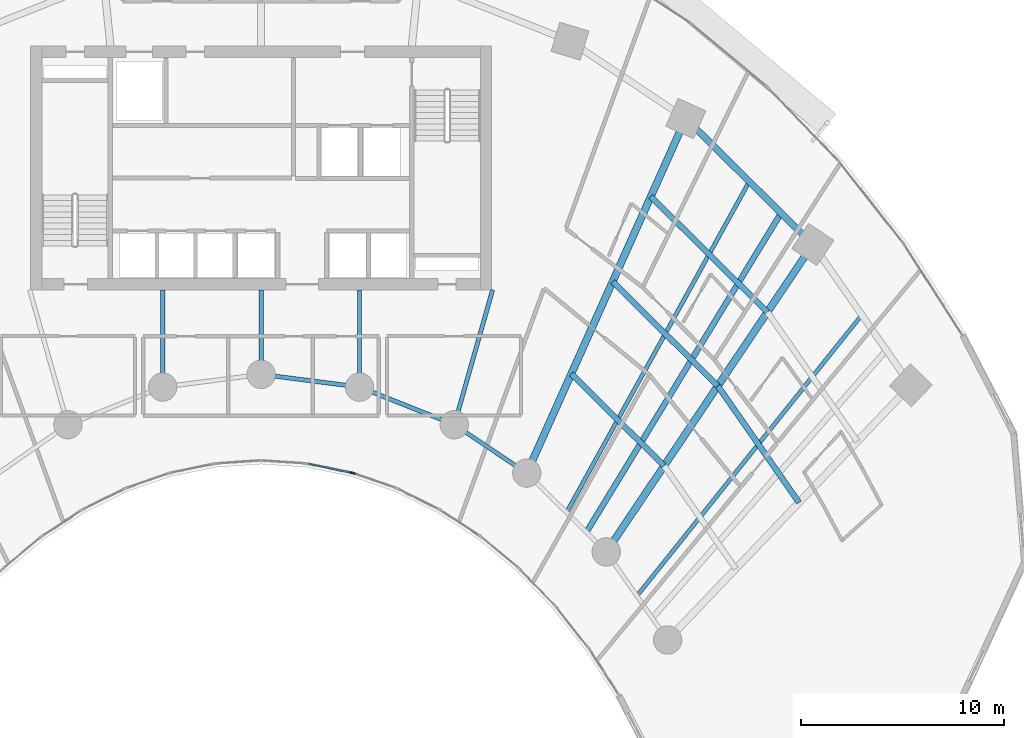
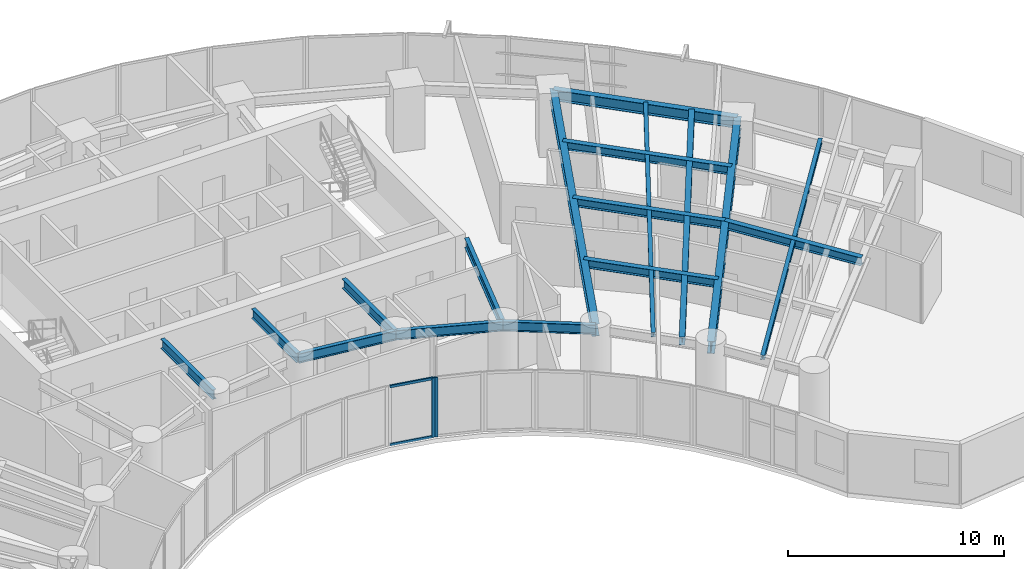
# One storey, part 5 of 17: 17 beams, 4 members, 2 elements without a shape of their own.
"""IFC4 building model written with IfcOpenShell, lengths in metres."""

from ifc_helpers import new_model, si_unit, direction, frame, origin, origin_2d, place, context, subcontext, project, spatial, rectangle, i_section, extrude, source, transform, mapped, material, layer, layer_set, material_profile, profile_set, type_object, type_shapes, element, aggregate, save


model = new_model("IFC4")

# Units and contexts
model_context = context("Model", 3, precision=1e-05, world=origin(), true_north=direction((0.0, 1.0)))
body_context = subcontext(model_context, "Body", "Model", "MODEL_VIEW")
ifc_project = project(units=[si_unit("LENGTHUNIT", "METRE"), si_unit("AREAUNIT", "SQUARE_METRE"), si_unit("VOLUMEUNIT", "CUBIC_METRE"), si_unit("PLANEANGLEUNIT", "RADIAN"), si_unit("MASSUNIT", "GRAM", prefix="KILO")], contexts=[model_context])

# Site, building, storey
site_placement = place(None, origin())
site = spatial("IfcSite", under=ifc_project, at=site_placement, CompositionType="ELEMENT")
building_placement = place(site_placement, origin())
building = spatial("IfcBuilding", under=site, at=building_placement, Name="Breltana Convention Tower", CompositionType="ELEMENT")
storey_placement = place(building_placement, frame((0.0, 0.0, 64.199951171875)))
storey = spatial("IfcBuildingStorey", under=building, at=storey_placement, Name="L14", CompositionType="ELEMENT", Elevation=64.199951171875)

# Beams
ifc_material_1 = material(Name="Steel ASTM A992 Grade 50", Category="steel")
ifc_material_profile_1 = material_profile(ifc_material_1, i_section(OverallWidth=0.323974609375, OverallDepth=0.611083984375, WebThickness=0.0126953125, FlangeThickness=0.01904296875, at=origin_2d()), Name="W24X104")
ifc_profile_set_1 = profile_set([ifc_material_profile_1], Name="Steel ASTM A992 Grade 50")
beam_type_1 = type_object("IfcBeamType", Name="BM-SP-W24X104", PredefinedType="SPANDREL", material=ifc_profile_set_1)
shared_shape_1 = source(origin(), body_context, "Body", "SweptSolid", [
    extrude(i_section(OverallWidth=0.323974609375, OverallDepth=0.611083984375, WebThickness=0.0126953125, FlangeThickness=0.01904296875, at=origin_2d()), origin(), (0.0, 0.0, 1.0), 8.810302734375),
])
beam_1_placement = place(storey_placement, frame((68.910400390625, 68.63330078125, 3.054443359375), z_axis=(0.710120823582, -0.704079836322, 0.0), x_axis=(0.704079836322, 0.710120823582, 0.0)))
element("IfcBeam", 1, at=beam_1_placement, inside=storey, type_object=beam_type_1, Name="L14 Outer Spandrel Beam 09", PredefinedType="SPANDREL", context=body_context, shape_type="MappedRepresentation", body=[
    mapped(shared_shape_1, transform((0.0, 0.0, 0.0), scale=1.0)),
])
ifc_material_profile_2 = material_profile(ifc_material_1, i_section(OverallWidth=0.2099609375, OverallDepth=0.537109375, WebThickness=0.010986328125, FlangeThickness=0.017333984375, at=origin_2d()), Name="W21X68")
ifc_profile_set_2 = profile_set([ifc_material_profile_2], Name="Steel ASTM A992 Grade 50")
beam_type_2 = type_object("IfcBeamType", Name="BM-BM-W21X68", PredefinedType="BEAM", material=ifc_profile_set_2)
shared_shape_2 = source(origin(), body_context, "Body", "SweptSolid", [
    extrude(i_section(OverallWidth=0.2099609375, OverallDepth=0.537109375, WebThickness=0.010986328125, FlangeThickness=0.017333984375, at=origin_2d()), origin(), (0.0, 0.0, 1.0), 6.904541015625),
])
type_shapes(beam_type_2, [shared_shape_2])
beam_2_placement = place(storey_placement, frame((59.39990234375, 60.199951171875, 3.091552734375), z_axis=(-0.273006781054, -0.962012108811, 0.0), x_axis=(0.962012108811, -0.273006781054, 0.0)))
element("IfcBeam", 2, at=beam_2_placement, inside=storey, type_object=beam_type_2, Name="L14 South Core Tie Girder R08", PredefinedType="BEAM", context=body_context, shape_type="MappedRepresentation", body=[
    mapped(shared_shape_2, transform((0.0, 0.0, 0.0), scale=1.0)),
])
shared_shape_3 = source(origin(), body_context, "Body", "SweptSolid", [
    extrude(i_section(OverallWidth=0.2099609375, OverallDepth=0.537109375, WebThickness=0.010986328125, FlangeThickness=0.017333984375, at=origin_2d()), origin(), (0.0, 0.0, 1.0), 4.789306640625),
])
for number, where, z_axis, x_axis, name in (
    (3, (43.153564453125, 60.199951171875, 3.091552734375), (0.0, -1.0, 0.0), (1.0, 0.0, 0.0), "L14 South Core Tie Girder R05"),
    (4, (52.846435546875, 60.199951171875, 3.091552734375), (0.0, -1.0, 0.0), (1.0, 0.0, 0.0), "L14 South Core Tie Girder R07"),
):
    element("IfcBeam", number, at=place(storey_placement, frame(where, z_axis=z_axis, x_axis=x_axis)), inside=storey, type_object=beam_type_2, Name=name, PredefinedType="BEAM", context=body_context, shape_type="MappedRepresentation", body=[
        mapped(shared_shape_3, transform((0.0, 0.0, 0.0), scale=1.0)),
    ])
shared_shape_4 = source(origin(), body_context, "Body", "SweptSolid", [
    extrude(i_section(OverallWidth=0.2099609375, OverallDepth=0.537109375, WebThickness=0.010986328125, FlangeThickness=0.017333984375, at=origin_2d()), origin(), (0.0, 0.0, 1.0), 4.1640625),
])
beam_3_placement = place(storey_placement, frame((48.0, 60.199951171875, 3.091552734375), z_axis=(0.0, -1.0, 0.0), x_axis=(1.0, 0.0, 0.0)))
element("IfcBeam", 5, at=beam_3_placement, inside=storey, type_object=beam_type_2, Name="L14 South Core Tie Girder R06", PredefinedType="BEAM", context=body_context, shape_type="MappedRepresentation", body=[
    mapped(shared_shape_4, transform((0.0, 0.0, 0.0), scale=1.0)),
])
ifc_material_profile_3 = material_profile(ifc_material_1, i_section(OverallWidth=0.35498046875, OverallDepth=0.696044921875, WebThickness=0.015380859375, FlangeThickness=0.02490234375, at=origin_2d()), Name="W27X146")
ifc_profile_set_3 = profile_set([ifc_material_profile_3], Name="Steel ASTM A992 Grade 50")
beam_type_3 = type_object("IfcBeamType", Name="BM-RG-W27X146", PredefinedType="USERDEFINED", material=ifc_profile_set_3)
shared_shape_5 = source(origin(), body_context, "Body", "SweptSolid", [
    extrude(i_section(OverallWidth=0.35498046875, OverallDepth=0.696044921875, WebThickness=0.015380859375, FlangeThickness=0.02490234375, at=origin_2d()), origin(), (0.0, 0.0, 1.0), 19.133544921875),
])
beam_4_placement = place(storey_placement, frame((61.08203125, 51.174560546875, 3.011962890625), z_axis=(0.409144564164, 0.912469575172, 0.0), x_axis=(-0.912469575172, 0.409144564164, 0.0)))
element("IfcBeam", 6, at=beam_4_placement, inside=storey, type_object=beam_type_3, Name="L14 Radial Floor Girder R09", ObjectType="GIRDER", PredefinedType="USERDEFINED", context=body_context, shape_type="MappedRepresentation", body=[
    mapped(shared_shape_5, transform((0.0, 0.0, 0.0), scale=1.0)),
])
shared_shape_6 = source(origin(), body_context, "Body", "SweptSolid", [
    extrude(i_section(OverallWidth=0.35498046875, OverallDepth=0.696044921875, WebThickness=0.015380859375, FlangeThickness=0.02490234375, at=origin_2d()), origin(), (0.0, 0.0, 1.0), 18.236328125),
])
beam_5_placement = place(storey_placement, frame((64.995849609375, 47.293701171875, 3.011962890625), z_axis=(0.557730360975, 0.830022195153, 0.0), x_axis=(-0.830022195153, 0.557730360975, 0.0)))
element("IfcBeam", 7, at=beam_5_placement, inside=storey, type_object=beam_type_3, Name="L14 Radial Floor Girder R10", ObjectType="GIRDER", PredefinedType="USERDEFINED", context=body_context, shape_type="MappedRepresentation", body=[
    mapped(shared_shape_6, transform((0.0, 0.0, 0.0), scale=1.0)),
])
shared_shape_7 = source(origin(), body_context, "Body", "SweptSolid", [
    extrude(i_section(OverallWidth=0.2099609375, OverallDepth=0.537109375, WebThickness=0.010986328125, FlangeThickness=0.017333984375, at=origin_2d()), origin(), (0.0, 0.0, 1.0), 5.022705078125),
])
beam_6_placement = place(storey_placement, frame((52.846435546875, 55.41064453125, 3.091552734375), z_axis=(0.929458966248, -0.368925507469, 0.0), x_axis=(0.368925507469, 0.929458966248, 0.0)))
element("IfcBeam", 8, at=beam_6_placement, inside=storey, type_object=beam_type_2, Name="L14 Inner Ring Beam 07", PredefinedType="BEAM", context=body_context, shape_type="MappedRepresentation", body=[
    mapped(shared_shape_7, transform((0.0, 0.0, 0.0), scale=1.0)),
])
shared_shape_8 = source(origin(), body_context, "Body", "SweptSolid", [
    extrude(i_section(OverallWidth=0.2099609375, OverallDepth=0.537109375, WebThickness=0.010986328125, FlangeThickness=0.017333984375, at=origin_2d()), origin(), (0.0, 0.0, 1.0), 4.88671875),
])
beam_7_placement = place(storey_placement, frame((48.0, 56.035888671875, 3.091552734375), z_axis=(0.991780525565, -0.127950729231, 0.0), x_axis=(0.127950729231, 0.991780525565, 0.0)))
element("IfcBeam", 9, at=beam_7_placement, inside=storey, type_object=beam_type_2, Name="L14 Inner Ring Beam 06", PredefinedType="BEAM", context=body_context, shape_type="MappedRepresentation", body=[
    mapped(shared_shape_8, transform((0.0, 0.0, 0.0), scale=1.0)),
])
shared_shape_9 = source(origin(), body_context, "Body", "SweptSolid", [
    extrude(i_section(OverallWidth=0.2099609375, OverallDepth=0.537109375, WebThickness=0.010986328125, FlangeThickness=0.017333984375, at=origin_2d()), origin(), (0.0, 0.0, 1.0), 4.2900390625),
])
beam_8_placement = place(storey_placement, frame((57.514892578125, 53.5576171875, 3.091552734375), z_axis=(0.831515827753, -0.555501060482, 0.0), x_axis=(0.555501060482, 0.831515827753, 0.0)))
element("IfcBeam", 10, at=beam_8_placement, inside=storey, type_object=beam_type_2, Name="L14 Inner Ring Beam 08", PredefinedType="BEAM", context=body_context, shape_type="MappedRepresentation", body=[
    mapped(shared_shape_9, transform((0.0, 0.0, 0.0), scale=1.0)),
])
ifc_material_profile_4 = material_profile(ifc_material_1, i_section(OverallWidth=0.280029296875, OverallDepth=0.462890625, WebThickness=0.0107421875, FlangeThickness=0.017333984375, at=origin_2d()), Name="W18X76")
ifc_profile_set_4 = profile_set([ifc_material_profile_4], Name="Steel ASTM A992 Grade 50")
beam_type_4 = type_object("IfcBeamType", Name="BM-JSG-06", PredefinedType="JOIST", material=ifc_profile_set_4)
shared_shape_10 = source(origin(), body_context, "Body", "SweptSolid", [
    extrude(i_section(OverallWidth=0.280029296875, OverallDepth=0.462890625, WebThickness=0.0107421875, FlangeThickness=0.017333984375, at=origin_2d()), origin(), (0.0, 0.0, 1.0), 6.435302734375),
])
beam_9_placement = place(storey_placement, frame((63.27392578125, 56.06298828125, 3.128662109375), z_axis=(0.710116389828, -0.704084308089, 0.0), x_axis=(0.704084308089, 0.710116389828, 0.0)))
element("IfcBeam", 11, at=beam_9_placement, inside=storey, type_object=beam_type_4, Name="L14 Composite Floor Joist 09.1", PredefinedType="JOIST", context=body_context, shape_type="MappedRepresentation", body=[
    mapped(shared_shape_10, transform((0.0, 0.0, 0.0), scale=1.0)),
])
shared_shape_11 = source(origin(), body_context, "Body", "SweptSolid", [
    extrude(i_section(OverallWidth=0.280029296875, OverallDepth=0.462890625, WebThickness=0.0107421875, FlangeThickness=0.017333984375, at=origin_2d()), origin(), (0.0, 0.0, 1.0), 7.29296875),
])
beam_10_placement = place(storey_placement, frame((65.309326171875, 60.602294921875, 3.128662109375), z_axis=(0.710096551013, -0.704104316305, 0.0), x_axis=(0.704104316305, 0.710096551013, 0.0)))
element("IfcBeam", 12, at=beam_10_placement, inside=storey, type_object=beam_type_4, Name="L14 Composite Floor Joist 09.2", PredefinedType="JOIST", context=body_context, shape_type="MappedRepresentation", body=[
    mapped(shared_shape_11, transform((0.0, 0.0, 0.0), scale=1.0)),
])
shared_shape_12 = source(origin(), body_context, "Body", "SweptSolid", [
    extrude(i_section(OverallWidth=0.280029296875, OverallDepth=0.462890625, WebThickness=0.0107421875, FlangeThickness=0.017333984375, at=origin_2d()), origin(), (0.0, 0.0, 1.0), 8.084716796875),
])
beam_11_placement = place(storey_placement, frame((67.188232421875, 64.79248046875, 3.128662109375), z_axis=(0.710105094548, -0.704095699956, 0.0), x_axis=(0.704095699956, 0.710105094548, 0.0)))
element("IfcBeam", 13, at=beam_11_placement, inside=storey, type_object=beam_type_4, Name="L14 Composite Floor Joist 09.3", PredefinedType="JOIST", context=body_context, shape_type="MappedRepresentation", body=[
    mapped(shared_shape_12, transform((0.0, 0.0, 0.0), scale=1.0)),
])
ifc_material_profile_5 = material_profile(ifc_material_1, i_section(OverallWidth=0.201904296875, OverallDepth=0.2470703125, WebThickness=0.00732421875, FlangeThickness=0.010986328125, at=origin_2d()), Name="W10X33")
ifc_profile_set_5 = profile_set([ifc_material_profile_5], Name="Steel ASTM A992 Grade 50")
beam_type_5 = type_object("IfcBeamType", Name="BM-JSG-11", PredefinedType="JOIST", material=ifc_profile_set_5)
shared_shape_13 = source(origin(), body_context, "Body", "SweptSolid", [
    extrude(i_section(OverallWidth=0.201904296875, OverallDepth=0.2470703125, WebThickness=0.00732421875, FlangeThickness=0.010986328125, at=origin_2d()), origin(), (0.0, 0.0, 1.0), 18.617431640625),
])
beam_12_placement = place(storey_placement, frame((63.038818359375, 49.234130859375, 3.236572265625), z_axis=(0.483405602507, 0.875396495004, 0.0), x_axis=(-0.875396495004, 0.483405602507, 0.0)))
element("IfcBeam", 14, at=beam_12_placement, inside=storey, type_object=beam_type_5, Name="L14 Mid-Bay Radial Trimmer 09", PredefinedType="JOIST", context=body_context, shape_type="MappedRepresentation", body=[
    mapped(shared_shape_13, transform((0.0, 0.0, 0.0), scale=1.0)),
])
shared_shape_14 = source(origin(), body_context, "Body", "SweptSolid", [
    extrude(i_section(OverallWidth=0.280029296875, OverallDepth=0.462890625, WebThickness=0.0107421875, FlangeThickness=0.017333984375, at=origin_2d()), origin(), (0.0, 0.0, 1.0), 18.409423828125),
])
beam_13_placement = place(storey_placement, frame((64.017333984375, 48.263916015625, 3.128662109375), z_axis=(0.520682167606, 0.853750596098, 0.0), x_axis=(-0.853750596098, 0.520682167606, 0.0)))
element("IfcBeam", 15, at=beam_13_placement, inside=storey, type_object=beam_type_4, Name="L14 Quarter-Bay Radial Trimmer 09", PredefinedType="JOIST", context=body_context, shape_type="MappedRepresentation", body=[
    mapped(shared_shape_14, transform((0.0, 0.0, 0.0), scale=1.0)),
])
shared_shape_15 = source(origin(), body_context, "Body", "SweptSolid", [
    extrude(i_section(OverallWidth=0.280029296875, OverallDepth=0.462890625, WebThickness=0.0107421875, FlangeThickness=0.017333984375, at=origin_2d()), origin(), (0.0, 0.0, 1.0), 6.99462890625),
])
beam_14_placement = place(storey_placement, frame((70.488037109375, 55.46728515625, 3.128662109375), z_axis=(0.571206630732, -0.820806301759, 0.0), x_axis=(0.820806301759, 0.571206630732, 0.0)))
element("IfcBeam", 16, at=beam_14_placement, inside=storey, type_object=beam_type_4, Name="L14 Composite Floor Joist 10.2", PredefinedType="JOIST", context=body_context, shape_type="MappedRepresentation", body=[
    mapped(shared_shape_15, transform((0.0, 0.0, 0.0), scale=1.0)),
])
shared_shape_16 = source(origin(), body_context, "Body", "SweptSolid", [
    extrude(i_section(OverallWidth=0.201904296875, OverallDepth=0.2470703125, WebThickness=0.00732421875, FlangeThickness=0.010986328125, at=origin_2d()), origin(), (0.0, 0.0, 1.0), 17.7236328125),
])
beam_15_placement = place(storey_placement, frame((66.505615234375, 45.124267578125, 3.236572265625), z_axis=(0.624829427563, 0.78076128647, 0.0), x_axis=(-0.78076128647, 0.624829427563, 0.0)))
element("IfcBeam", 17, at=beam_15_placement, inside=storey, type_object=beam_type_5, Name="L14 Mid-Bay Radial Trimmer 10", PredefinedType="JOIST", context=body_context, shape_type="MappedRepresentation", body=[
    mapped(shared_shape_16, transform((0.0, 0.0, 0.0), scale=1.0)),
])

# Curtain wall, member
ifc_material_2 = material(Name="Aluminium Anodised Bronze Frame", Category="aluminium")
ifc_layer = layer(ifc_material_2, 0.18994140625, Name="Aluminium Anodised Bronze Frame")
ifc_layer_set = layer_set([ifc_layer], Name="Aluminium Anodised Bronze Frame")
curtain_wall_type = type_object("IfcCurtainWallType", Name="CW-SYS-1", PredefinedType="NOTDEFINED", material=ifc_layer_set)
curtain_wall_1_placement = place(storey_placement, origin())
curtain_wall_1 = element("IfcCurtainWall", 18, at=curtain_wall_1_placement, inside=storey, type_object=curtain_wall_type, Name="L14 inner south-court glazing 7", PredefinedType="NOTDEFINED")
ifc_material_3 = material(Name="Aluminium Anodised Bronze", Category="aluminium")
ifc_material_profile_6 = material_profile(ifc_material_3, rectangle(XDim=0.080078125, YDim=0.199951171875, at=origin_2d()), Name="CWM-80X200")
ifc_profile_set_6 = profile_set([ifc_material_profile_6], Name="Aluminium Anodised Bronze")
member_type_1 = type_object("IfcMemberType", Name="CWM-200", PredefinedType="MULLION", material=ifc_profile_set_6)
shared_shape_17 = source(origin(), body_context, "Body", "SweptSolid", [
    extrude(rectangle(XDim=0.080078125, YDim=0.199951171875, at=origin_2d()), origin(), (0.0, 0.0, 1.0), 3.360107421875),
])
member_1_placement = place(storey_placement, frame((52.54052734375, 51.166015625, 0.0), z_axis=(0.0, 0.0, 1.0), x_axis=(-0.327413341714, -0.944881211406, 0.0)))
member_1 = element("IfcMember", 19, at=member_1_placement, type_object=member_type_1, Name="CW-01 mullion 2", PredefinedType="MULLION", context=body_context, shape_type="MappedRepresentation", body=[
    mapped(shared_shape_17, transform((0.0, 0.0, 0.0), scale=1.0)),
])
aggregate(curtain_wall_1, [member_1])

# Curtain wall, members
curtain_wall_2_placement = place(storey_placement, origin())
curtain_wall_2 = element("IfcCurtainWall", 20, at=curtain_wall_2_placement, inside=storey, type_object=curtain_wall_type, Name="L14 inner south-court glazing 8", PredefinedType="NOTDEFINED")
member_2_placement = place(storey_placement, frame((52.44091796875, 51.193359375, 0.0), z_axis=(0.0, 0.0, 1.0), x_axis=(-0.200886350278, -0.97961455393, 0.0)))
member_2 = element("IfcMember", 21, at=member_2_placement, type_object=member_type_1, Name="CW-01 mullion 1", PredefinedType="MULLION", context=body_context, shape_type="MappedRepresentation", body=[
    mapped(shared_shape_17, transform((0.0, 0.0, 0.0), scale=1.0)),
])
ifc_material_profile_7 = material_profile(ifc_material_3, rectangle(XDim=0.080078125, YDim=0.139892578125, at=origin_2d()), Name="CWT-80X140")
ifc_profile_set_7 = profile_set([ifc_material_profile_7], Name="Aluminium Anodised Bronze")
member_type_2 = type_object("IfcMemberType", Name="CWT-140", PredefinedType="USERDEFINED", material=ifc_profile_set_7)
shared_shape_18 = source(origin(), body_context, "Body", "SweptSolid", [
    extrude(rectangle(XDim=0.080078125, YDim=0.139892578125, at=origin_2d()), origin(), (0.0, 0.0, 1.0), 2.096435546875),
])
member_3_placement = place(storey_placement, frame((52.401611328125, 51.201416015625, 0.0400390625), z_axis=(-0.979615042233, 0.200883969074, 0.0), x_axis=(-0.200883969074, -0.979615042233, 0.0)))
member_3 = element("IfcMember", 22, at=member_3_placement, type_object=member_type_2, Name="CW-01 transom 1.1", ObjectType="TRANSOM", PredefinedType="USERDEFINED", context=body_context, shape_type="MappedRepresentation", body=[
    mapped(shared_shape_18, transform((0.0, 0.0, 0.0), scale=1.0)),
])
member_4_placement = place(storey_placement, frame((52.401611328125, 51.201416015625, 3.320068359375), z_axis=(-0.979615042233, 0.200883969074, 0.0), x_axis=(-0.200883969074, -0.979615042233, 0.0)))
member_4 = element("IfcMember", 23, at=member_4_placement, type_object=member_type_2, Name="CW-01 transom 1.2", ObjectType="TRANSOM", PredefinedType="USERDEFINED", context=body_context, shape_type="MappedRepresentation", body=[
    mapped(shared_shape_18, transform((0.0, 0.0, 0.0), scale=1.0)),
])
aggregate(curtain_wall_2, [member_2, member_3, member_4])

save(model, "model.ifc")
